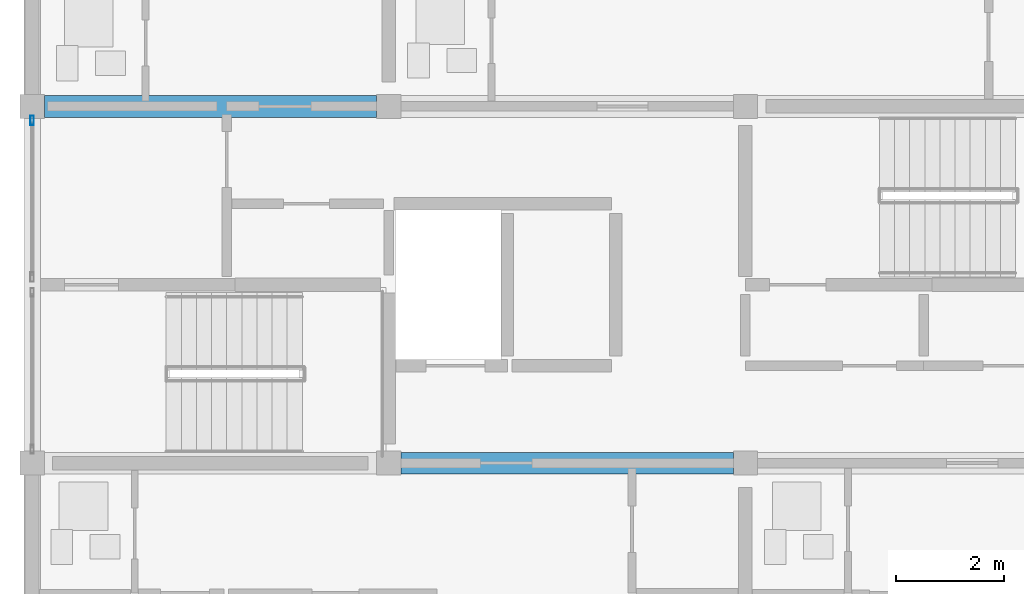
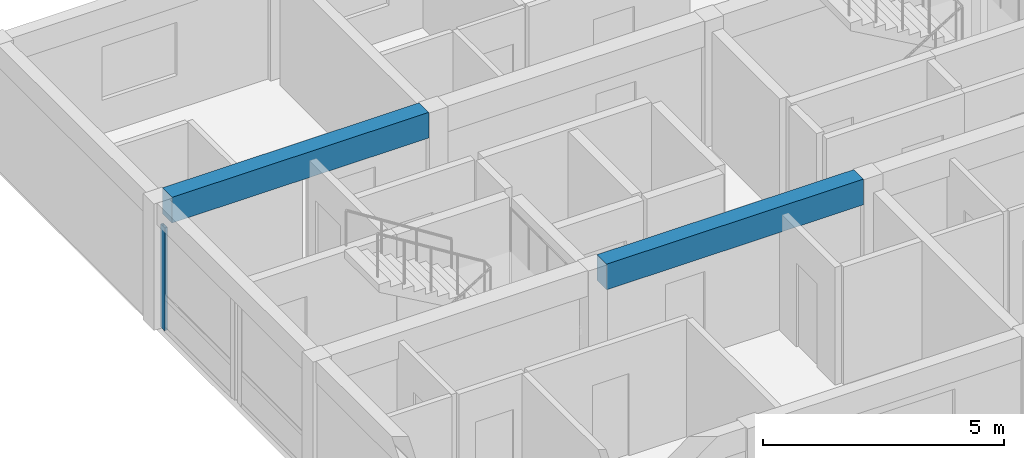
# One storey, part 10 of 34: 2 beams, 1 member, 1 element without a shape of its own.
"""IFC4 building model written with IfcOpenShell, lengths in metres."""

from ifc_helpers import new_model, si_unit, direction, frame, origin, origin_2d, place, context, subcontext, project, spatial, rectangle, hollow_rectangle, extrude, material, material_profile, profile_set, type_object, element, aggregate, save


model = new_model("IFC4")

# Units and contexts
model_context = context("Model", 3, precision=1e-05, world=origin(), true_north=direction((0.0, 1.0)))
body_context = subcontext(model_context, "Body", "Model", "MODEL_VIEW")
ifc_project = project(units=[si_unit("LENGTHUNIT", "METRE"), si_unit("AREAUNIT", "SQUARE_METRE"), si_unit("VOLUMEUNIT", "CUBIC_METRE"), si_unit("PLANEANGLEUNIT", "RADIAN"), si_unit("MASSUNIT", "GRAM", prefix="KILO")], contexts=[model_context])

# Site, building, storey
site_placement = place(None, origin())
site = spatial("IfcSite", under=ifc_project, at=site_placement, CompositionType="ELEMENT")
building_placement = place(site_placement, origin())
building = spatial("IfcBuilding", under=site, at=building_placement, Name="Kernevlak Ridge Housing Community", CompositionType="ELEMENT")
storey_placement = place(building_placement, frame((0.0, 0.0, 40.39990234375)))
storey = spatial("IfcBuildingStorey", under=building, at=storey_placement, Name="L12", CompositionType="ELEMENT", Elevation=40.39990234375)

# Beams
ifc_material_1 = material(Name="Concrete C35/45", Category="concrete")
ifc_material_profile_1 = material_profile(ifc_material_1, rectangle(XDim=0.39990234375, YDim=0.64990234375, at=origin_2d()), Name="RC 400x650")
ifc_profile_set_1 = profile_set([ifc_material_profile_1], Name="Concrete C35/45")
beam_type = type_object("IfcBeamType", Name="B-03", PredefinedType="T_BEAM", material=ifc_profile_set_1)
beam_1_placement = place(storey_placement, frame((22.425048828125, 82.60009765625, 2.875), z_axis=(1.0, 0.0, 0.0), x_axis=(0.0, 1.0, 0.0)))
element("IfcBeam", 1, at=beam_1_placement, inside=storey, type_object=beam_type, Name="Beam B-03 L12 375", PredefinedType="T_BEAM", context=body_context, shape_type="SweptSolid", body=[
    extrude(rectangle(XDim=0.39990234375, YDim=0.64990234375, at=origin_2d()), origin(), (0.0, 0.0, 1.0), 6.14990234375),
])
beam_2_placement = place(storey_placement, frame((15.824951171875, 89.199951171875, 2.875), z_axis=(1.0, 0.0, 0.0), x_axis=(0.0, 1.0, 0.0)))
element("IfcBeam", 2, at=beam_2_placement, inside=storey, type_object=beam_type, Name="Beam B-03 L12 379", PredefinedType="T_BEAM", context=body_context, shape_type="SweptSolid", body=[
    extrude(rectangle(XDim=0.39990234375, YDim=0.64990234375, at=origin_2d()), origin(), (0.0, 0.0, 1.0), 6.150146484375),
])

# Curtain wall, member
ifc_material_2 = material(Name="Aluminium EN AW-6060 anodised and laminated glass", Category="aluminium")
curtain_wall_type = type_object("IfcCurtainWallType", Name="CW-07", PredefinedType="NOTDEFINED", material=ifc_material_2)
curtain_wall_placement = place(storey_placement, origin())
curtain_wall = element("IfcCurtainWall", 3, at=curtain_wall_placement, inside=storey, type_object=curtain_wall_type, Name="Curtain wall CW-07 CW-L12-038", PredefinedType="NOTDEFINED")
ifc_material_3 = material(Name="Aluminium EN AW-6060 anodised", Category="aluminium")
ifc_material_profile_2 = material_profile(ifc_material_3, hollow_rectangle(XDim=0.06494140625, YDim=0.179931640625, WallThickness=0.00439453125, InnerFilletRadius=0.001953125, OuterFilletRadius=0.00439453125, at=origin_2d()), Name="ALU 65x180x4.5")
ifc_profile_set_2 = profile_set([ifc_material_profile_2], Name="Aluminium EN AW-6060 anodised")
member_type = type_object("IfcMemberType", Name="MU-03", PredefinedType="MULLION", material=ifc_profile_set_2)
member_placement = place(storey_placement, frame((15.60009765625, 88.9423828125, 0.0), z_axis=(0.0, 0.0, 1.0), x_axis=(-1.0, 0.0, 0.0)))
member = element("IfcMember", 4, at=member_placement, type_object=member_type, Name="CW-07 mullion 2", PredefinedType="MULLION", context=body_context, shape_type="SweptSolid", body=[
    extrude(hollow_rectangle(XDim=0.06494140625, YDim=0.179931640625, WallThickness=0.00439453125, InnerFilletRadius=0.001953125, OuterFilletRadius=0.00439453125, at=origin_2d()), origin(), (0.0, 0.0, 1.0), 2.60009765625),
])
aggregate(curtain_wall, [member])

save(model, "model.ifc")
